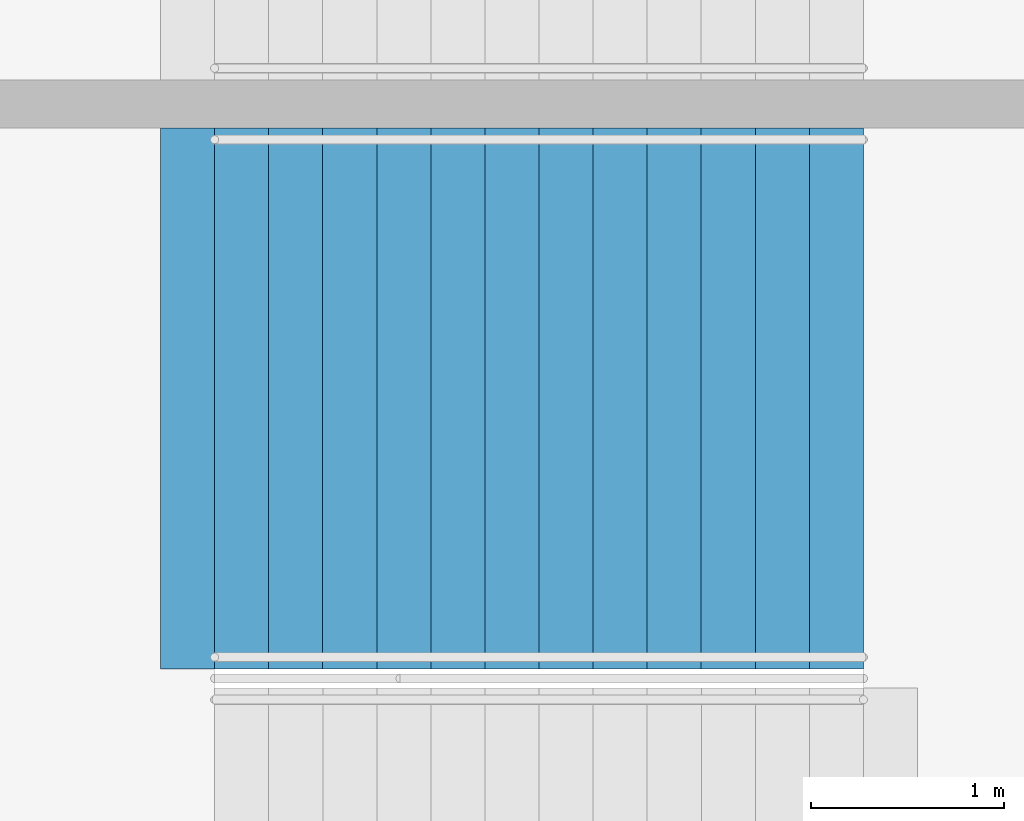
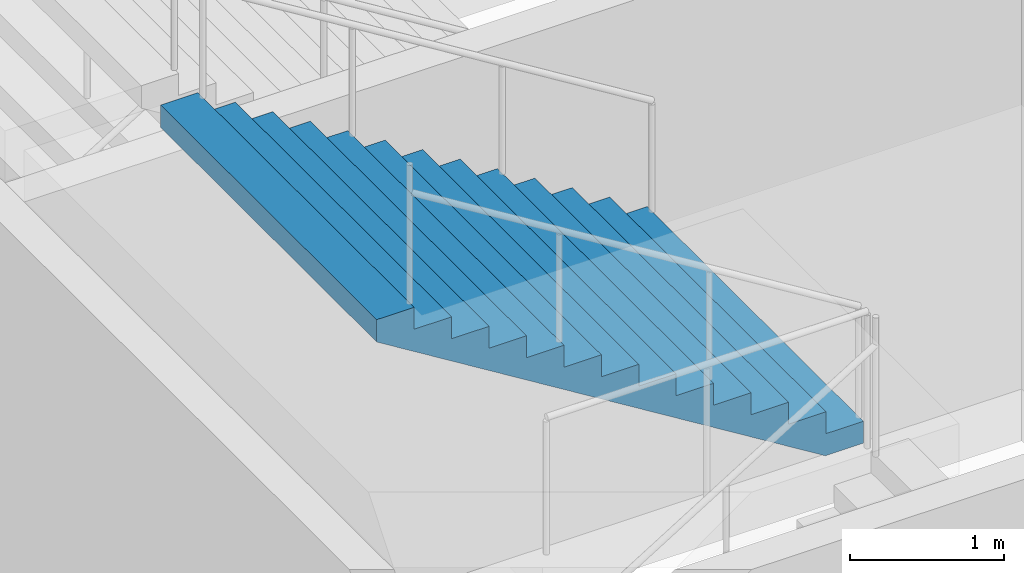
# One storey, part 142 of 175: 1 stair flight, 1 element without a shape of its own.
"""IFC4 building model written with IfcOpenShell, lengths in metres."""

from ifc_helpers import new_model, si_unit, direction, frame, origin, place, context, subcontext, project, spatial, faceted_brep, material, type_object, element, aggregate, save


model = new_model("IFC4")

# Units and contexts
model_context = context("Model", 3, precision=1e-05, world=origin(), true_north=direction((0.0, 1.0)))
body_context = subcontext(model_context, "Body", "Model", "MODEL_VIEW")
ifc_project = project(units=[si_unit("LENGTHUNIT", "METRE"), si_unit("AREAUNIT", "SQUARE_METRE"), si_unit("VOLUMEUNIT", "CUBIC_METRE"), si_unit("PLANEANGLEUNIT", "RADIAN"), si_unit("MASSUNIT", "GRAM", prefix="KILO")], contexts=[model_context])

# Site, building, storey
site_placement = place(None, origin())
site = spatial("IfcSite", under=ifc_project, at=site_placement, CompositionType="ELEMENT")
building_placement = place(site_placement, origin())
building = spatial("IfcBuilding", under=site, at=building_placement, Name="Ogive Plaza Stadium", CompositionType="ELEMENT")
storey_placement = place(building_placement, origin())
storey = spatial("IfcBuildingStorey", under=building, at=storey_placement, Name="L00", CompositionType="ELEMENT", Elevation=0.0)

# Stair, stair flight
ifc_material_1 = material(Name="Concrete C40/50", Category="concrete")
stair_type = type_object("IfcStairType", Name="Exit stair", PredefinedType="STRAIGHT_RUN_STAIR", material=ifc_material_1)
stair_placement = place(storey_placement, origin())
stair = element("IfcStair", 1, at=stair_placement, inside=storey, type_object=stair_type, Name="Exit stair ST02A L00 to L01", PredefinedType="STRAIGHT_RUN_STAIR")
ifc_material_2 = material(Name="Concrete C40/50", Category="concrete")
stair_flight_type = type_object("IfcStairFlightType", Name="Exit stair flight", PredefinedType="STRAIGHT", material=ifc_material_2)
stair_flight_placement = place(storey_placement, frame((79.7099609375, 35.97509765625, 2.25), z_axis=(0.0, 0.0, 1.0), x_axis=(-1.0, 0.0, 0.0)))
stair_flight = element("IfcStairFlight", 2, at=stair_flight_placement, type_object=stair_flight_type, Name="ST02A flight 2", NumberOfRisers=13, NumberOfTreads=12, PredefinedType="STRAIGHT", RiserHeight=0.173076923, TreadLength=0.28, context=body_context, shape_type="Brep", body=[
    faceted_brep([(0.28515625, -1.39990234375, 0.0), (3.639892578125, -1.39990234375, 2.07373046875), (3.639892578125, -1.39990234375, 2.25), (3.360107421875, -1.39990234375, 2.25), (3.360107421875, -1.39990234375, 2.076904296875), (3.080078125, -1.39990234375, 2.076904296875), (3.080078125, -1.39990234375, 1.90380859375), (2.800048828125, -1.39990234375, 1.90380859375), (2.800048828125, -1.39990234375, 1.730712890625), (2.52001953125, -1.39990234375, 1.730712890625), (2.52001953125, -1.39990234375, 1.5576171875), (2.239990234375, -1.39990234375, 1.5576171875), (2.239990234375, -1.39990234375, 1.384521484375), (1.9599609375, -1.39990234375, 1.384521484375), (1.9599609375, -1.39990234375, 1.21142578125), (1.679931640625, -1.39990234375, 1.21142578125), (1.679931640625, -1.39990234375, 1.03857421875), (1.39990234375, -1.39990234375, 1.03857421875), (1.39990234375, -1.39990234375, 0.865478515625), (1.1201171875, -1.39990234375, 0.865478515625), (1.1201171875, -1.39990234375, 0.6923828125), (0.840087890625, -1.39990234375, 0.6923828125), (0.840087890625, -1.39990234375, 0.519287109375), (0.56005859375, -1.39990234375, 0.519287109375), (0.56005859375, -1.39990234375, 0.34619140625), (0.280029296875, -1.39990234375, 0.34619140625), (0.280029296875, -1.39990234375, 0.173095703125), (0.0, -1.39990234375, 0.173095703125), (0.0, -1.39990234375, 0.0), (0.0, 1.39990234375, 0.0), (0.0, 1.39990234375, 0.173095703125), (0.280029296875, 1.39990234375, 0.173095703125), (0.280029296875, 1.39990234375, 0.34619140625), (0.56005859375, 1.39990234375, 0.34619140625), (0.56005859375, 1.39990234375, 0.519287109375), (0.840087890625, 1.39990234375, 0.519287109375), (0.840087890625, 1.39990234375, 0.6923828125), (1.1201171875, 1.39990234375, 0.6923828125), (1.1201171875, 1.39990234375, 0.865478515625), (1.39990234375, 1.39990234375, 0.865478515625), (1.39990234375, 1.39990234375, 1.03857421875), (1.679931640625, 1.39990234375, 1.03857421875), (1.679931640625, 1.39990234375, 1.21142578125), (1.9599609375, 1.39990234375, 1.21142578125), (1.9599609375, 1.39990234375, 1.384521484375), (2.239990234375, 1.39990234375, 1.384521484375), (2.239990234375, 1.39990234375, 1.5576171875), (2.52001953125, 1.39990234375, 1.5576171875), (2.52001953125, 1.39990234375, 1.730712890625), (2.800048828125, 1.39990234375, 1.730712890625), (2.800048828125, 1.39990234375, 1.90380859375), (3.080078125, 1.39990234375, 1.90380859375), (3.080078125, 1.39990234375, 2.076904296875), (3.360107421875, 1.39990234375, 2.076904296875), (3.360107421875, 1.39990234375, 2.25), (3.639892578125, 1.39990234375, 2.25), (3.639892578125, 1.39990234375, 2.07373046875), (0.28515625, 1.39990234375, 0.0), (0.28515625, -1.0888671875, 0.0), (3.639892578125, -1.0888671875, 2.07373046875), (0.28515625, -0.77783203125, 0.0), (3.639892578125, -0.77783203125, 2.07373046875), (0.28515625, -0.466796875, 0.0), (3.639892578125, -0.466796875, 2.07373046875), (0.28515625, -0.155517578125, 0.0), (3.639892578125, -0.155517578125, 2.07373046875), (0.28515625, 0.155517578125, 0.0), (3.639892578125, 0.155517578125, 2.07373046875), (0.28515625, 0.466796875, 0.0), (3.639892578125, 0.466796875, 2.07373046875), (0.28515625, 0.77783203125, 0.0), (3.639892578125, 0.77783203125, 2.07373046875), (0.28515625, 1.0888671875, 0.0), (3.639892578125, 1.0888671875, 2.07373046875), (3.639892578125, -1.0888671875, 2.25), (3.639892578125, -0.77783203125, 2.25), (3.639892578125, -0.466796875, 2.25), (3.639892578125, -0.155517578125, 2.25), (3.639892578125, 0.155517578125, 2.25), (3.639892578125, 0.466796875, 2.25), (3.639892578125, 0.77783203125, 2.25), (3.639892578125, 1.0888671875, 2.25), (3.360107421875, -1.0888671875, 2.25), (3.360107421875, -0.77783203125, 2.25), (3.360107421875, -0.466796875, 2.25), (3.360107421875, -0.155517578125, 2.25), (3.360107421875, 0.155517578125, 2.25), (3.360107421875, 0.466796875, 2.25), (3.360107421875, 0.77783203125, 2.25), (3.360107421875, 1.0888671875, 2.25), (3.360107421875, -1.0888671875, 2.076904296875), (3.360107421875, -0.77783203125, 2.076904296875), (3.360107421875, -0.466796875, 2.076904296875), (3.360107421875, -0.155517578125, 2.076904296875), (3.360107421875, 0.155517578125, 2.076904296875), (3.360107421875, 0.466796875, 2.076904296875), (3.360107421875, 0.77783203125, 2.076904296875), (3.360107421875, 1.0888671875, 2.076904296875), (3.080078125, -1.0888671875, 2.076904296875), (3.080078125, -0.77783203125, 2.076904296875), (3.080078125, -0.466796875, 2.076904296875), (3.080078125, -0.155517578125, 2.076904296875), (3.080078125, 0.155517578125, 2.076904296875), (3.080078125, 0.466796875, 2.076904296875), (3.080078125, 0.77783203125, 2.076904296875), (3.080078125, 1.0888671875, 2.076904296875), (3.080078125, -1.0888671875, 1.90380859375), (3.080078125, -0.77783203125, 1.90380859375), (3.080078125, -0.466796875, 1.90380859375), (3.080078125, -0.155517578125, 1.90380859375), (3.080078125, 0.155517578125, 1.90380859375), (3.080078125, 0.466796875, 1.90380859375), (3.080078125, 0.77783203125, 1.90380859375), (3.080078125, 1.0888671875, 1.90380859375), (2.800048828125, -1.0888671875, 1.90380859375), (2.800048828125, -0.77783203125, 1.90380859375), (2.800048828125, -0.466796875, 1.90380859375), (2.800048828125, -0.155517578125, 1.90380859375), (2.800048828125, 0.155517578125, 1.90380859375), (2.800048828125, 0.466796875, 1.90380859375), (2.800048828125, 0.77783203125, 1.90380859375), (2.800048828125, 1.0888671875, 1.90380859375), (2.800048828125, -1.0888671875, 1.730712890625), (2.800048828125, -0.77783203125, 1.730712890625), (2.800048828125, -0.466796875, 1.730712890625), (2.800048828125, -0.155517578125, 1.730712890625), (2.800048828125, 0.155517578125, 1.730712890625), (2.800048828125, 0.466796875, 1.730712890625), (2.800048828125, 0.77783203125, 1.730712890625), (2.800048828125, 1.0888671875, 1.730712890625), (2.52001953125, -1.0888671875, 1.730712890625), (2.52001953125, -0.77783203125, 1.730712890625), (2.52001953125, -0.466796875, 1.730712890625), (2.52001953125, -0.155517578125, 1.730712890625), (2.52001953125, 0.155517578125, 1.730712890625), (2.52001953125, 0.466796875, 1.730712890625), (2.52001953125, 0.77783203125, 1.730712890625), (2.52001953125, 1.0888671875, 1.730712890625), (2.52001953125, -1.0888671875, 1.5576171875), (2.52001953125, -0.77783203125, 1.5576171875), (2.52001953125, -0.466796875, 1.5576171875), (2.52001953125, -0.155517578125, 1.5576171875), (2.52001953125, 0.155517578125, 1.5576171875), (2.52001953125, 0.466796875, 1.5576171875), (2.52001953125, 0.77783203125, 1.5576171875), (2.52001953125, 1.0888671875, 1.5576171875), (2.239990234375, -1.0888671875, 1.5576171875), (2.239990234375, -0.77783203125, 1.5576171875), (2.239990234375, -0.466796875, 1.5576171875), (2.239990234375, -0.155517578125, 1.5576171875), (2.239990234375, 0.155517578125, 1.5576171875), (2.239990234375, 0.466796875, 1.5576171875), (2.239990234375, 0.77783203125, 1.5576171875), (2.239990234375, 1.0888671875, 1.5576171875), (2.239990234375, -1.0888671875, 1.384521484375), (2.239990234375, -0.77783203125, 1.384521484375), (2.239990234375, -0.466796875, 1.384521484375), (2.239990234375, -0.155517578125, 1.384521484375), (2.239990234375, 0.155517578125, 1.384521484375), (2.239990234375, 0.466796875, 1.384521484375), (2.239990234375, 0.77783203125, 1.384521484375), (2.239990234375, 1.0888671875, 1.384521484375), (1.9599609375, -1.0888671875, 1.384521484375), (1.9599609375, -0.77783203125, 1.384521484375), (1.9599609375, -0.466796875, 1.384521484375), (1.9599609375, -0.155517578125, 1.384521484375), (1.9599609375, 0.155517578125, 1.384521484375), (1.9599609375, 0.466796875, 1.384521484375), (1.9599609375, 0.77783203125, 1.384521484375), (1.9599609375, 1.0888671875, 1.384521484375), (1.9599609375, -1.0888671875, 1.21142578125), (1.9599609375, -0.77783203125, 1.21142578125), (1.9599609375, -0.466796875, 1.21142578125), (1.9599609375, -0.155517578125, 1.21142578125), (1.9599609375, 0.155517578125, 1.21142578125), (1.9599609375, 0.466796875, 1.21142578125), (1.9599609375, 0.77783203125, 1.21142578125), (1.9599609375, 1.0888671875, 1.21142578125), (1.679931640625, -1.0888671875, 1.21142578125), (1.679931640625, -0.77783203125, 1.21142578125), (1.679931640625, -0.466796875, 1.21142578125), (1.679931640625, -0.155517578125, 1.21142578125), (1.679931640625, 0.155517578125, 1.21142578125), (1.679931640625, 0.466796875, 1.21142578125), (1.679931640625, 0.77783203125, 1.21142578125), (1.679931640625, 1.0888671875, 1.21142578125), (1.679931640625, -1.0888671875, 1.03857421875), (1.679931640625, -0.77783203125, 1.03857421875), (1.679931640625, -0.466796875, 1.03857421875), (1.679931640625, -0.155517578125, 1.03857421875), (1.679931640625, 0.155517578125, 1.03857421875), (1.679931640625, 0.466796875, 1.03857421875), (1.679931640625, 0.77783203125, 1.03857421875), (1.679931640625, 1.0888671875, 1.03857421875), (1.39990234375, -1.0888671875, 1.03857421875), (1.39990234375, -0.77783203125, 1.03857421875), (1.39990234375, -0.466796875, 1.03857421875), (1.39990234375, -0.155517578125, 1.03857421875), (1.39990234375, 0.155517578125, 1.03857421875), (1.39990234375, 0.466796875, 1.03857421875), (1.39990234375, 0.77783203125, 1.03857421875), (1.39990234375, 1.0888671875, 1.03857421875), (1.39990234375, -1.0888671875, 0.865478515625), (1.39990234375, -0.77783203125, 0.865478515625), (1.39990234375, -0.466796875, 0.865478515625), (1.39990234375, -0.155517578125, 0.865478515625), (1.39990234375, 0.155517578125, 0.865478515625), (1.39990234375, 0.466796875, 0.865478515625), (1.39990234375, 0.77783203125, 0.865478515625), (1.39990234375, 1.0888671875, 0.865478515625), (1.1201171875, -1.0888671875, 0.865478515625), (1.1201171875, -0.77783203125, 0.865478515625), (1.1201171875, -0.466796875, 0.865478515625), (1.1201171875, -0.155517578125, 0.865478515625), (1.1201171875, 0.155517578125, 0.865478515625), (1.1201171875, 0.466796875, 0.865478515625), (1.1201171875, 0.77783203125, 0.865478515625), (1.1201171875, 1.0888671875, 0.865478515625), (1.1201171875, -1.0888671875, 0.6923828125), (1.1201171875, -0.77783203125, 0.6923828125), (1.1201171875, -0.466796875, 0.6923828125), (1.1201171875, -0.155517578125, 0.6923828125), (1.1201171875, 0.155517578125, 0.6923828125), (1.1201171875, 0.466796875, 0.6923828125), (1.1201171875, 0.77783203125, 0.6923828125), (1.1201171875, 1.0888671875, 0.6923828125), (0.840087890625, -1.0888671875, 0.6923828125), (0.840087890625, -0.77783203125, 0.6923828125), (0.840087890625, -0.466796875, 0.6923828125), (0.840087890625, -0.155517578125, 0.6923828125), (0.840087890625, 0.155517578125, 0.6923828125), (0.840087890625, 0.466796875, 0.6923828125), (0.840087890625, 0.77783203125, 0.6923828125), (0.840087890625, 1.0888671875, 0.6923828125), (0.840087890625, -1.0888671875, 0.519287109375), (0.840087890625, -0.77783203125, 0.519287109375), (0.840087890625, -0.466796875, 0.519287109375), (0.840087890625, -0.155517578125, 0.519287109375), (0.840087890625, 0.155517578125, 0.519287109375), (0.840087890625, 0.466796875, 0.519287109375), (0.840087890625, 0.77783203125, 0.519287109375), (0.840087890625, 1.0888671875, 0.519287109375), (0.56005859375, -1.0888671875, 0.519287109375), (0.56005859375, -0.77783203125, 0.519287109375), (0.56005859375, -0.466796875, 0.519287109375), (0.56005859375, -0.155517578125, 0.519287109375), (0.56005859375, 0.155517578125, 0.519287109375), (0.56005859375, 0.466796875, 0.519287109375), (0.56005859375, 0.77783203125, 0.519287109375), (0.56005859375, 1.0888671875, 0.519287109375), (0.56005859375, -1.0888671875, 0.34619140625), (0.56005859375, -0.77783203125, 0.34619140625), (0.56005859375, -0.466796875, 0.34619140625), (0.56005859375, -0.155517578125, 0.34619140625), (0.56005859375, 0.155517578125, 0.34619140625), (0.56005859375, 0.466796875, 0.34619140625), (0.56005859375, 0.77783203125, 0.34619140625), (0.56005859375, 1.0888671875, 0.34619140625), (0.280029296875, -1.0888671875, 0.34619140625), (0.280029296875, -0.77783203125, 0.34619140625), (0.280029296875, -0.466796875, 0.34619140625), (0.280029296875, -0.155517578125, 0.34619140625), (0.280029296875, 0.155517578125, 0.34619140625), (0.280029296875, 0.466796875, 0.34619140625), (0.280029296875, 0.77783203125, 0.34619140625), (0.280029296875, 1.0888671875, 0.34619140625), (0.280029296875, -1.0888671875, 0.173095703125), (0.280029296875, -0.77783203125, 0.173095703125), (0.280029296875, -0.466796875, 0.173095703125), (0.280029296875, -0.155517578125, 0.173095703125), (0.280029296875, 0.155517578125, 0.173095703125), (0.280029296875, 0.466796875, 0.173095703125), (0.280029296875, 0.77783203125, 0.173095703125), (0.280029296875, 1.0888671875, 0.173095703125), (0.0, -1.0888671875, 0.173095703125), (0.0, -0.77783203125, 0.173095703125), (0.0, -0.466796875, 0.173095703125), (0.0, -0.155517578125, 0.173095703125), (0.0, 0.155517578125, 0.173095703125), (0.0, 0.466796875, 0.173095703125), (0.0, 0.77783203125, 0.173095703125), (0.0, 1.0888671875, 0.173095703125), (0.0, -1.0888671875, 0.0), (0.0, -0.77783203125, 0.0), (0.0, -0.466796875, 0.0), (0.0, -0.155517578125, 0.0), (0.0, 0.155517578125, 0.0), (0.0, 0.466796875, 0.0), (0.0, 0.77783203125, 0.0), (0.0, 1.0888671875, 0.0)], [[[0, 1, 2, 3, 4, 5, 6, 7, 8, 9, 10, 11, 12, 13, 14, 15, 16, 17, 18, 19, 20, 21, 22, 23, 24, 25, 26, 27, 28]], [[29, 30, 31, 32, 33, 34, 35, 36, 37, 38, 39, 40, 41, 42, 43, 44, 45, 46, 47, 48, 49, 50, 51, 52, 53, 54, 55, 56, 57]], [[0, 58, 59, 1]], [[58, 60, 61, 59]], [[60, 62, 63, 61]], [[62, 64, 65, 63]], [[64, 66, 67, 65]], [[66, 68, 69, 67]], [[68, 70, 71, 69]], [[70, 72, 73, 71]], [[72, 57, 56, 73]], [[1, 59, 74, 2]], [[59, 61, 75, 74]], [[61, 63, 76, 75]], [[63, 65, 77, 76]], [[65, 67, 78, 77]], [[67, 69, 79, 78]], [[69, 71, 80, 79]], [[71, 73, 81, 80]], [[73, 56, 55, 81]], [[2, 74, 82, 3]], [[74, 75, 83, 82]], [[75, 76, 84, 83]], [[76, 77, 85, 84]], [[77, 78, 86, 85]], [[78, 79, 87, 86]], [[79, 80, 88, 87]], [[80, 81, 89, 88]], [[81, 55, 54, 89]], [[3, 82, 90, 4]], [[82, 83, 91, 90]], [[83, 84, 92, 91]], [[84, 85, 93, 92]], [[85, 86, 94, 93]], [[86, 87, 95, 94]], [[87, 88, 96, 95]], [[88, 89, 97, 96]], [[89, 54, 53, 97]], [[4, 90, 98, 5]], [[90, 91, 99, 98]], [[91, 92, 100, 99]], [[92, 93, 101, 100]], [[93, 94, 102, 101]], [[94, 95, 103, 102]], [[95, 96, 104, 103]], [[96, 97, 105, 104]], [[97, 53, 52, 105]], [[5, 98, 106, 6]], [[98, 99, 107, 106]], [[99, 100, 108, 107]], [[100, 101, 109, 108]], [[101, 102, 110, 109]], [[102, 103, 111, 110]], [[103, 104, 112, 111]], [[104, 105, 113, 112]], [[105, 52, 51, 113]], [[6, 106, 114, 7]], [[106, 107, 115, 114]], [[107, 108, 116, 115]], [[108, 109, 117, 116]], [[109, 110, 118, 117]], [[110, 111, 119, 118]], [[111, 112, 120, 119]], [[112, 113, 121, 120]], [[113, 51, 50, 121]], [[7, 114, 122, 8]], [[114, 115, 123, 122]], [[115, 116, 124, 123]], [[116, 117, 125, 124]], [[117, 118, 126, 125]], [[118, 119, 127, 126]], [[119, 120, 128, 127]], [[120, 121, 129, 128]], [[121, 50, 49, 129]], [[8, 122, 130, 9]], [[122, 123, 131, 130]], [[123, 124, 132, 131]], [[124, 125, 133, 132]], [[125, 126, 134, 133]], [[126, 127, 135, 134]], [[127, 128, 136, 135]], [[128, 129, 137, 136]], [[129, 49, 48, 137]], [[9, 130, 138, 10]], [[130, 131, 139, 138]], [[131, 132, 140, 139]], [[132, 133, 141, 140]], [[133, 134, 142, 141]], [[134, 135, 143, 142]], [[135, 136, 144, 143]], [[136, 137, 145, 144]], [[137, 48, 47, 145]], [[10, 138, 146, 11]], [[138, 139, 147, 146]], [[139, 140, 148, 147]], [[140, 141, 149, 148]], [[141, 142, 150, 149]], [[142, 143, 151, 150]], [[143, 144, 152, 151]], [[144, 145, 153, 152]], [[145, 47, 46, 153]], [[11, 146, 154, 12]], [[146, 147, 155, 154]], [[147, 148, 156, 155]], [[148, 149, 157, 156]], [[149, 150, 158, 157]], [[150, 151, 159, 158]], [[151, 152, 160, 159]], [[152, 153, 161, 160]], [[153, 46, 45, 161]], [[12, 154, 162, 13]], [[154, 155, 163, 162]], [[155, 156, 164, 163]], [[156, 157, 165, 164]], [[157, 158, 166, 165]], [[158, 159, 167, 166]], [[159, 160, 168, 167]], [[160, 161, 169, 168]], [[161, 45, 44, 169]], [[13, 162, 170, 14]], [[162, 163, 171, 170]], [[163, 164, 172, 171]], [[164, 165, 173, 172]], [[165, 166, 174, 173]], [[166, 167, 175, 174]], [[167, 168, 176, 175]], [[168, 169, 177, 176]], [[169, 44, 43, 177]], [[14, 170, 178, 15]], [[170, 171, 179, 178]], [[171, 172, 180, 179]], [[172, 173, 181, 180]], [[173, 174, 182, 181]], [[174, 175, 183, 182]], [[175, 176, 184, 183]], [[176, 177, 185, 184]], [[177, 43, 42, 185]], [[15, 178, 186, 16]], [[178, 179, 187, 186]], [[179, 180, 188, 187]], [[180, 181, 189, 188]], [[181, 182, 190, 189]], [[182, 183, 191, 190]], [[183, 184, 192, 191]], [[184, 185, 193, 192]], [[185, 42, 41, 193]], [[16, 186, 194, 17]], [[186, 187, 195, 194]], [[187, 188, 196, 195]], [[188, 189, 197, 196]], [[189, 190, 198, 197]], [[190, 191, 199, 198]], [[191, 192, 200, 199]], [[192, 193, 201, 200]], [[193, 41, 40, 201]], [[17, 194, 202, 18]], [[194, 195, 203, 202]], [[195, 196, 204, 203]], [[196, 197, 205, 204]], [[197, 198, 206, 205]], [[198, 199, 207, 206]], [[199, 200, 208, 207]], [[200, 201, 209, 208]], [[201, 40, 39, 209]], [[18, 202, 210, 19]], [[202, 203, 211, 210]], [[203, 204, 212, 211]], [[204, 205, 213, 212]], [[205, 206, 214, 213]], [[206, 207, 215, 214]], [[207, 208, 216, 215]], [[208, 209, 217, 216]], [[209, 39, 38, 217]], [[19, 210, 218, 20]], [[210, 211, 219, 218]], [[211, 212, 220, 219]], [[212, 213, 221, 220]], [[213, 214, 222, 221]], [[214, 215, 223, 222]], [[215, 216, 224, 223]], [[216, 217, 225, 224]], [[217, 38, 37, 225]], [[20, 218, 226, 21]], [[218, 219, 227, 226]], [[219, 220, 228, 227]], [[220, 221, 229, 228]], [[221, 222, 230, 229]], [[222, 223, 231, 230]], [[223, 224, 232, 231]], [[224, 225, 233, 232]], [[225, 37, 36, 233]], [[21, 226, 234, 22]], [[226, 227, 235, 234]], [[227, 228, 236, 235]], [[228, 229, 237, 236]], [[229, 230, 238, 237]], [[230, 231, 239, 238]], [[231, 232, 240, 239]], [[232, 233, 241, 240]], [[233, 36, 35, 241]], [[22, 234, 242, 23]], [[234, 235, 243, 242]], [[235, 236, 244, 243]], [[236, 237, 245, 244]], [[237, 238, 246, 245]], [[238, 239, 247, 246]], [[239, 240, 248, 247]], [[240, 241, 249, 248]], [[241, 35, 34, 249]], [[23, 242, 250, 24]], [[242, 243, 251, 250]], [[243, 244, 252, 251]], [[244, 245, 253, 252]], [[245, 246, 254, 253]], [[246, 247, 255, 254]], [[247, 248, 256, 255]], [[248, 249, 257, 256]], [[249, 34, 33, 257]], [[24, 250, 258, 25]], [[250, 251, 259, 258]], [[251, 252, 260, 259]], [[252, 253, 261, 260]], [[253, 254, 262, 261]], [[254, 255, 263, 262]], [[255, 256, 264, 263]], [[256, 257, 265, 264]], [[257, 33, 32, 265]], [[25, 258, 266, 26]], [[258, 259, 267, 266]], [[259, 260, 268, 267]], [[260, 261, 269, 268]], [[261, 262, 270, 269]], [[262, 263, 271, 270]], [[263, 264, 272, 271]], [[264, 265, 273, 272]], [[265, 32, 31, 273]], [[26, 266, 274, 27]], [[266, 267, 275, 274]], [[267, 268, 276, 275]], [[268, 269, 277, 276]], [[269, 270, 278, 277]], [[270, 271, 279, 278]], [[271, 272, 280, 279]], [[272, 273, 281, 280]], [[273, 31, 30, 281]], [[27, 274, 282, 28]], [[274, 275, 283, 282]], [[275, 276, 284, 283]], [[276, 277, 285, 284]], [[277, 278, 286, 285]], [[278, 279, 287, 286]], [[279, 280, 288, 287]], [[280, 281, 289, 288]], [[281, 30, 29, 289]], [[28, 282, 58, 0]], [[282, 283, 60, 58]], [[283, 284, 62, 60]], [[284, 285, 64, 62]], [[285, 286, 66, 64]], [[286, 287, 68, 66]], [[287, 288, 70, 68]], [[288, 289, 72, 70]], [[289, 29, 57, 72]]]),
])
aggregate(stair, [stair_flight])

save(model, "model.ifc")
